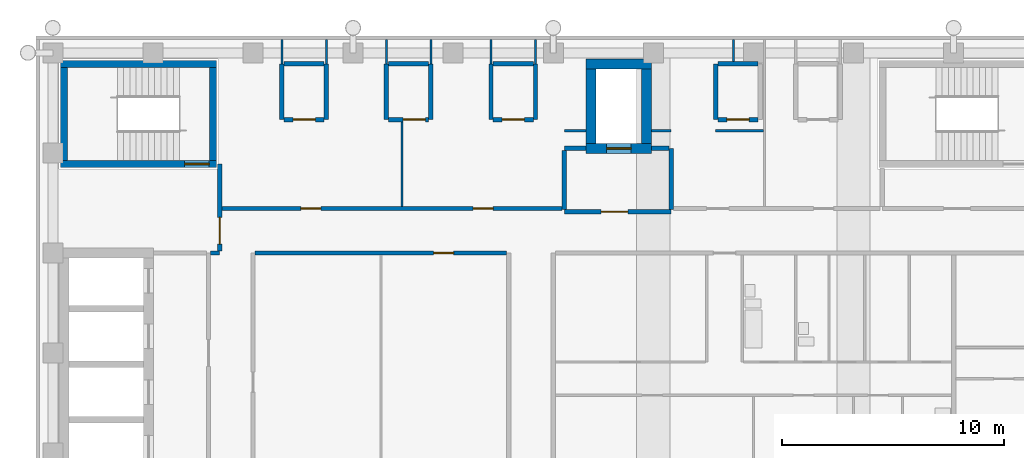
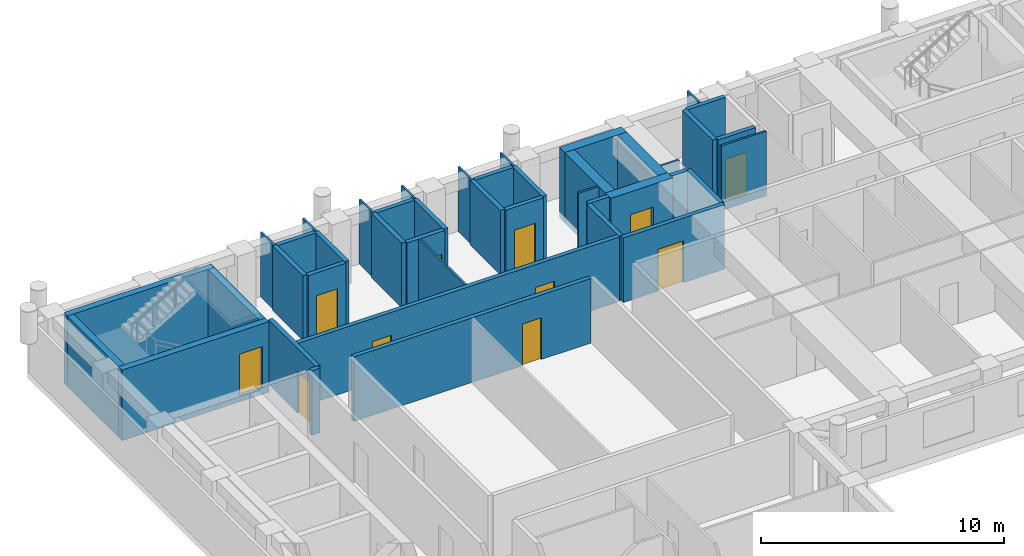
# One storey, part 8 of 14: 43 walls, 11 doors, 11 openings.
"""IFC4 building model written with IfcOpenShell, lengths in metres."""

from ifc_helpers import new_model, si_unit, direction, frame, frame_2d, origin, place, context, subcontext, project, spatial, rectangle, extrude, material, layer, layer_set, type_object, element, fill, save


model = new_model("IFC4")

# Units and contexts
model_context = context("Model", 3, precision=1e-05, world=origin(), true_north=direction((0.0, 1.0)))
body_context = subcontext(model_context, "Body", "Model", "MODEL_VIEW")
ifc_project = project(units=[si_unit("LENGTHUNIT", "METRE"), si_unit("AREAUNIT", "SQUARE_METRE"), si_unit("VOLUMEUNIT", "CUBIC_METRE"), si_unit("PLANEANGLEUNIT", "RADIAN"), si_unit("MASSUNIT", "GRAM", prefix="KILO")], contexts=[model_context])

# Site, building, storey
site_placement = place(None, origin())
site = spatial("IfcSite", under=ifc_project, at=site_placement, CompositionType="ELEMENT")
building_placement = place(site_placement, origin())
building = spatial("IfcBuilding", under=site, at=building_placement, Name="Firuza Court", CompositionType="ELEMENT")
storey_placement = place(building_placement, frame((0.0, 0.0, 182.60009765625)))
storey = spatial("IfcBuildingStorey", under=building, at=storey_placement, Name="L46", CompositionType="ELEMENT", Elevation=182.60009765625)

# Wall, opening, door
ifc_material_1 = material(Name="Concrete C50/60", Category="concrete")
ifc_layer_1 = layer(ifc_material_1, 0.300048828125)
ifc_layer_set_1 = layer_set([ifc_layer_1], Name="Concrete C50/60")
wall_type_1 = type_object("IfcWallType", Name="Core wall 300 C50/60", PredefinedType="SHEAR", material=ifc_layer_set_1)
wall_1_placement = place(storey_placement, frame((0.35009765625, 53.5, -0.300048828125), z_axis=(0.0, 0.0, 1.0), x_axis=(1.0, 0.0, 0.0)))
wall_1 = element("IfcWall", 1, at=wall_1_placement, inside=storey, type_object=wall_type_1, Name="Core wall stair L46", PredefinedType="SHEAR", context=body_context, shape_type="SweptSolid", body=[
    extrude(rectangle(XDim=7.0, YDim=0.300048828125, at=frame_2d((3.5, 0.0))), origin(), (0.0, 0.0, 1.0), 3.550048828125),
])
opening_1_placement = place(wall_1_placement, frame((5.580078125, 0.0, 0.300048828125)))
opening_1 = element("IfcOpeningElement", 2, at=opening_1_placement, cuts=wall_1, Name="Opening D46015", PredefinedType="OPENING", context=body_context, shape_type="SweptSolid", body=[
    extrude(rectangle(XDim=1.10009765625, YDim=2.10009765625, at=frame_2d((0.550048828125, 1.050048828125))), frame((0.0, 0.162109375, 0.0), z_axis=(0.0, -1.0, 0.0), x_axis=(1.0, 0.0, 0.0)), (0.0, 0.0, 1.0), 0.323974609375),
])
ifc_material_2 = material(Name="Timber door leaf in hardwood frame", Category="wood")
door_type_1 = type_object("IfcDoorType", Name="Stair door 1100", OperationType="SINGLE_SWING_LEFT", PredefinedType="DOOR", material=ifc_material_2)
door_1_placement = place(opening_1_placement, origin())
door_1 = element("IfcDoor", 3, at=door_1_placement, inside=storey, type_object=door_type_1, Name="Stair door S3", OperationType="SINGLE_SWING_RIGHT", OverallHeight=2.10009765625, OverallWidth=1.10009765625, PredefinedType="DOOR", context=body_context, shape_type="SweptSolid", body=[
    extrude(rectangle(XDim=1.10009765625, YDim=2.10009765625, at=frame_2d((0.550048828125, 1.050048828125))), frame((0.0, 0.02490234375, 0.0), z_axis=(0.0, -1.0, 0.0), x_axis=(1.0, 0.0, 0.0)), (0.0, 0.0, 1.0), 0.050048828125),
])
fill(opening_1, door_1)

# Walls
wall_2_placement = place(storey_placement, frame((0.35009765625, 58.0, -0.300048828125), z_axis=(0.0, 0.0, 1.0), x_axis=(1.0, 0.0, 0.0)))
element("IfcWall", 4, at=wall_2_placement, inside=storey, type_object=wall_type_1, Name="Core wall stair L46", PredefinedType="SHEAR", context=body_context, shape_type="SweptSolid", body=[
    extrude(rectangle(XDim=7.0, YDim=0.300048828125, at=frame_2d((3.5, 0.0))), origin(), (0.0, 0.0, 1.0), 3.550048828125),
])
for number, where, z_axis, x_axis, name in (
    (5, (0.5, 53.64990234375, -0.300048828125), (0.0, 0.0, 1.0), (0.0, 1.0, 0.0), "Core wall stair L46"),
    (6, (7.199951171875, 53.64990234375, -0.300048828125), (0.0, 0.0, 1.0), (0.0, 1.0, 0.0), "Core wall stair L46"),
):
    element("IfcWall", number, at=place(storey_placement, frame(where, z_axis=z_axis, x_axis=x_axis)), inside=storey, type_object=wall_type_1, Name=name, PredefinedType="SHEAR", context=body_context, shape_type="SweptSolid", body=[
        extrude(rectangle(XDim=4.2001953125, YDim=0.300048828125, at=frame_2d((2.10009765625, 0.0))), origin(), (0.0, 0.0, 1.0), 3.550048828125),
    ])

# Wall, opening, door
ifc_layer_2 = layer(ifc_material_1, 0.449951171875)
ifc_layer_set_2 = layer_set([ifc_layer_2], Name="Concrete C50/60")
wall_type_2 = type_object("IfcWallType", Name="Core wall 450 C50/60", PredefinedType="SHEAR", material=ifc_layer_set_2)
wall_3_placement = place(storey_placement, frame((23.97509765625, 54.199951171875, -0.300048828125), z_axis=(0.0, 0.0, 1.0), x_axis=(1.0, 0.0, 0.0)))
wall_3 = element("IfcWall", 7, at=wall_3_placement, inside=storey, type_object=wall_type_2, Name="Core wall lift shaft L46", PredefinedType="SHEAR", context=body_context, shape_type="SweptSolid", body=[
    extrude(rectangle(XDim=2.949951171875, YDim=0.449951171875, at=frame_2d((1.47509765625, 0.0))), origin(), (0.0, 0.0, 1.0), 3.550048828125),
])
opening_2_placement = place(wall_3_placement, frame((0.925048828125, 0.0, 0.300048828125)))
opening_2 = element("IfcOpeningElement", 8, at=opening_2_placement, cuts=wall_3, Name="Opening LD-FL3-46", PredefinedType="OPENING", context=body_context, shape_type="SweptSolid", body=[
    extrude(rectangle(XDim=1.10009765625, YDim=2.10009765625, at=frame_2d((0.550048828125, 1.050048828125))), frame((0.0, 0.23681640625, 0.0), z_axis=(0.0, -1.0, 0.0), x_axis=(1.0, 0.0, 0.0)), (0.0, 0.0, 1.0), 0.473876953125),
])
ifc_material_3 = material(Name="Stainless steel 1.4301 door leaf", Category="steel")
door_type_2 = type_object("IfcDoorType", Name="Lift landing door 1100", OperationType="SLIDING_TO_LEFT", PredefinedType="DOOR", material=ifc_material_3)
door_2_placement = place(opening_2_placement, origin())
door_2 = element("IfcDoor", 9, at=door_2_placement, inside=storey, type_object=door_type_2, Name="Landing door FL3", OperationType="SLIDING_TO_LEFT", OverallHeight=2.10009765625, OverallWidth=1.10009765625, PredefinedType="DOOR", context=body_context, shape_type="SweptSolid", body=[
    extrude(rectangle(XDim=1.10009765625, YDim=2.10009765625, at=frame_2d((0.550048828125, 1.050048828125))), frame((0.0, 0.02490234375, 0.0), z_axis=(0.0, -1.0, 0.0), x_axis=(1.0, 0.0, 0.0)), (0.0, 0.0, 1.0), 0.050048828125),
])
fill(opening_2, door_2)

# Walls
wall_4_placement = place(storey_placement, frame((23.97509765625, 58.0, -0.300048828125), z_axis=(0.0, 0.0, 1.0), x_axis=(1.0, 0.0, 0.0)))
element("IfcWall", 10, at=wall_4_placement, inside=storey, type_object=wall_type_2, Name="Core wall lift shaft L46", PredefinedType="SHEAR", context=body_context, shape_type="SweptSolid", body=[
    extrude(rectangle(XDim=2.949951171875, YDim=0.449951171875, at=frame_2d((1.47509765625, 0.0))), origin(), (0.0, 0.0, 1.0), 3.550048828125),
])
for number, where, z_axis, x_axis, name in (
    (11, (24.199951171875, 54.425048828125, -0.300048828125), (0.0, 0.0, 1.0), (0.0, 1.0, 0.0), "Core wall lift shaft L46"),
    (12, (26.699951171875, 54.425048828125, -0.300048828125), (0.0, 0.0, 1.0), (0.0, 1.0, 0.0), "Core wall lift shaft L46"),
):
    element("IfcWall", number, at=place(storey_placement, frame(where, z_axis=z_axis, x_axis=x_axis)), inside=storey, type_object=wall_type_2, Name=name, PredefinedType="SHEAR", context=body_context, shape_type="SweptSolid", body=[
        extrude(rectangle(XDim=3.349853515625, YDim=0.449951171875, at=frame_2d((1.6748046875, 0.0))), origin(), (0.0, 0.0, 1.0), 3.550048828125),
    ])

# Wall, opening, door
ifc_material_4 = material(Name="Blockwork, plastered both sides", Category="masonry")
ifc_layer_3 = layer(ifc_material_4, 0.199951171875)
ifc_layer_set_3 = layer_set([ifc_layer_3], Name="Blockwork, plastered both sides")
wall_type_3 = type_object("IfcWallType", Name="Corridor wall 200", PredefinedType="PARTITIONING", material=ifc_layer_set_3)
wall_5_placement = place(storey_placement, frame((9.10009765625, 49.5, 0.0), z_axis=(0.0, 0.0, 1.0), x_axis=(1.0, 0.0, 0.0)))
wall_5 = element("IfcWall", 13, at=wall_5_placement, inside=storey, type_object=wall_type_3, Name="Corridor wall 200 L46", PredefinedType="PARTITIONING", context=body_context, shape_type="SweptSolid", body=[
    extrude(rectangle(XDim=11.2998046875, YDim=0.199951171875, at=frame_2d((5.64990234375, 0.0))), origin(), (0.0, 0.0, 1.0), 3.25),
])
opening_3_placement = place(wall_5_placement, frame((8.02490234375, 0.0, 0.0)))
opening_3 = element("IfcOpeningElement", 14, at=opening_3_placement, cuts=wall_5, Name="Opening D46059", PredefinedType="OPENING", context=body_context, shape_type="SweptSolid", body=[
    extrude(rectangle(XDim=0.89990234375, YDim=2.10009765625, at=frame_2d((0.449951171875, 1.050048828125))), frame((0.0, 0.11181640625, 0.0), z_axis=(0.0, -1.0, 0.0), x_axis=(1.0, 0.0, 0.0)), (0.0, 0.0, 1.0), 0.223876953125),
])
ifc_material_5 = material(Name="Timber door leaf in hardwood frame", Category="wood")
door_type_3 = type_object("IfcDoorType", Name="Room door 900 EI 30", OperationType="SINGLE_SWING_LEFT", PredefinedType="DOOR", material=ifc_material_5)
door_3_placement = place(opening_3_placement, origin())
door_3 = element("IfcDoor", 15, at=door_3_placement, inside=storey, type_object=door_type_3, Name="Residents' club lounge door", OperationType="SINGLE_SWING_LEFT", OverallHeight=2.10009765625, OverallWidth=0.89990234375, PredefinedType="DOOR", context=body_context, shape_type="SweptSolid", body=[
    extrude(rectangle(XDim=0.89990234375, YDim=2.10009765625, at=frame_2d((0.449951171875, 1.050048828125))), frame((0.0, 0.02490234375, 0.0), z_axis=(0.0, -1.0, 0.0), x_axis=(1.0, 0.0, 0.0)), (0.0, 0.0, 1.0), 0.050048828125),
])
fill(opening_3, door_3)

# Wall, openings, doors
wall_6_placement = place(storey_placement, frame((7.60009765625, 51.5, 0.0), z_axis=(0.0, 0.0, 1.0), x_axis=(1.0, 0.0, 0.0)))
wall_6 = element("IfcWall", 16, at=wall_6_placement, inside=storey, type_object=wall_type_3, Name="Corridor wall 200 L46", PredefinedType="PARTITIONING", context=body_context, shape_type="SweptSolid", body=[
    extrude(rectangle(XDim=15.2998046875, YDim=0.199951171875, at=frame_2d((7.64990234375, 0.0))), origin(), (0.0, 0.0, 1.0), 3.25),
])
opening_4_placement = place(wall_6_placement, frame((3.550048828125, 0.0, 0.0)))
opening_4 = element("IfcOpeningElement", 17, at=opening_4_placement, cuts=wall_6, Name="Opening D46063", PredefinedType="OPENING", context=body_context, shape_type="SweptSolid", body=[
    extrude(rectangle(XDim=0.89990234375, YDim=2.10009765625, at=frame_2d((0.449951171875, 1.050048828125))), frame((0.0, 0.11181640625, 0.0), z_axis=(0.0, -1.0, 0.0), x_axis=(1.0, 0.0, 0.0)), (0.0, 0.0, 1.0), 0.223876953125),
])
opening_5_placement = place(wall_6_placement, frame((11.300048828125, 0.0, 0.0)))
opening_5 = element("IfcOpeningElement", 18, at=opening_5_placement, cuts=wall_6, Name="Opening D46064", PredefinedType="OPENING", context=body_context, shape_type="SweptSolid", body=[
    extrude(rectangle(XDim=0.89990234375, YDim=2.10009765625, at=frame_2d((0.449951171875, 1.050048828125))), frame((0.0, 0.11181640625, 0.0), z_axis=(0.0, -1.0, 0.0), x_axis=(1.0, 0.0, 0.0)), (0.0, 0.0, 1.0), 0.223876953125),
])
door_4_placement = place(opening_4_placement, origin())
door_4 = element("IfcDoor", 19, at=door_4_placement, inside=storey, type_object=door_type_3, Name="Meeting room door", OperationType="SINGLE_SWING_LEFT", OverallHeight=2.10009765625, OverallWidth=0.89990234375, PredefinedType="DOOR", context=body_context, shape_type="SweptSolid", body=[
    extrude(rectangle(XDim=0.89990234375, YDim=2.10009765625, at=frame_2d((0.449951171875, 1.050048828125))), frame((0.0, 0.02490234375, 0.0), z_axis=(0.0, -1.0, 0.0), x_axis=(1.0, 0.0, 0.0)), (0.0, 0.0, 1.0), 0.050048828125),
])
fill(opening_4, door_4)
door_5_placement = place(opening_5_placement, origin())
door_5 = element("IfcDoor", 20, at=door_5_placement, inside=storey, type_object=door_type_3, Name="Meeting room door", OperationType="SINGLE_SWING_LEFT", OverallHeight=2.10009765625, OverallWidth=0.89990234375, PredefinedType="DOOR", context=body_context, shape_type="SweptSolid", body=[
    extrude(rectangle(XDim=0.89990234375, YDim=2.10009765625, at=frame_2d((0.449951171875, 1.050048828125))), frame((0.0, 0.02490234375, 0.0), z_axis=(0.0, -1.0, 0.0), x_axis=(1.0, 0.0, 0.0)), (0.0, 0.0, 1.0), 0.050048828125),
])
fill(opening_5, door_5)

# Walls
ifc_material_6 = material(Name="Timber stud partition, plasterboard both sides", Category="wood")
ifc_layer_4 = layer(ifc_material_6, 0.10009765625)
ifc_layer_set_4 = layer_set([ifc_layer_4], Name="Timber stud partition, plasterboard both sides")
wall_type_4 = type_object("IfcWallType", Name="Partition wall 100", PredefinedType="PARTITIONING", material=ifc_layer_set_4)
wall_7_placement = place(storey_placement, frame((15.699951171875, 51.60009765625, 0.0), z_axis=(0.0, 0.0, 1.0), x_axis=(0.0, 1.0, 0.0)))
element("IfcWall", 21, at=wall_7_placement, inside=storey, type_object=wall_type_4, Name="Partition wall 100 L46", PredefinedType="PARTITIONING", context=body_context, shape_type="SweptSolid", body=[
    extrude(rectangle(XDim=3.7998046875, YDim=0.10009765625, at=frame_2d((1.89990234375, 0.0))), origin(), (0.0, 0.0, 1.0), 3.25),
])
wall_8_placement = place(storey_placement, frame((23.0, 55.0, 0.0), z_axis=(0.0, 0.0, 1.0), x_axis=(1.0, 0.0, 0.0)))
element("IfcWall", 22, at=wall_8_placement, inside=storey, type_object=wall_type_4, Name="Partition wall 100 L46", PredefinedType="PARTITIONING", context=body_context, shape_type="SweptSolid", body=[
    extrude(rectangle(XDim=0.97509765625, YDim=0.10009765625, at=frame_2d((0.487548828125, 0.0))), origin(), (0.0, 0.0, 1.0), 3.25),
])
wall_9_placement = place(storey_placement, frame((26.925048828125, 55.0, 0.0), z_axis=(0.0, 0.0, 1.0), x_axis=(1.0, 0.0, 0.0)))
element("IfcWall", 23, at=wall_9_placement, inside=storey, type_object=wall_type_4, Name="Partition wall 100 L46", PredefinedType="PARTITIONING", context=body_context, shape_type="SweptSolid", body=[
    extrude(rectangle(XDim=0.875, YDim=0.10009765625, at=frame_2d((0.4375, 0.0))), origin(), (0.0, 0.0, 1.0), 3.25),
])
wall_10_placement = place(storey_placement, frame((29.800048828125, 55.0, 0.0), z_axis=(0.0, 0.0, 1.0), x_axis=(1.0, 0.0, 0.0)))
element("IfcWall", 24, at=wall_10_placement, inside=storey, type_object=wall_type_4, Name="Partition wall 100 L46", PredefinedType="PARTITIONING", context=body_context, shape_type="SweptSolid", body=[
    extrude(rectangle(XDim=2.14990234375, YDim=0.10009765625, at=frame_2d((1.074951171875, 0.0))), origin(), (0.0, 0.0, 1.0), 3.25),
])
for number, where, z_axis, x_axis, name in (
    (25, (10.300048828125, 58.0, 0.0), (0.0, 0.0, 1.0), (0.0, 1.0, 0.0), "Partition wall 100 L46"),
    (26, (12.300048828125, 58.0, 0.0), (0.0, 0.0, 1.0), (0.0, 1.0, 0.0), "Partition wall 100 L46"),
    (27, (15.0, 58.0, 0.0), (0.0, 0.0, 1.0), (0.0, 1.0, 0.0), "Partition wall 100 L46"),
    (28, (17.0, 58.0, 0.0), (0.0, 0.0, 1.0), (0.0, 1.0, 0.0), "Partition wall 100 L46"),
    (29, (19.699951171875, 58.0, 0.0), (0.0, 0.0, 1.0), (0.0, 1.0, 0.0), "Partition wall 100 L46"),
    (30, (21.699951171875, 58.0, 0.0), (0.0, 0.0, 1.0), (0.0, 1.0, 0.0), "Partition wall 100 L46"),
):
    element("IfcWall", number, at=place(storey_placement, frame(where, z_axis=z_axis, x_axis=x_axis)), inside=storey, type_object=wall_type_4, Name=name, PredefinedType="PARTITIONING", context=body_context, shape_type="SweptSolid", body=[
        extrude(rectangle(XDim=1.10009765625, YDim=0.10009765625, at=frame_2d((0.550048828125, 0.0))), origin(), (0.0, 0.0, 1.0), 3.25),
    ])
wall_11_placement = place(storey_placement, frame((30.60009765625, 58.10009765625, 0.0), z_axis=(0.0, 0.0, 1.0), x_axis=(0.0, 1.0, 0.0)))
element("IfcWall", 31, at=wall_11_placement, inside=storey, type_object=wall_type_4, Name="Partition wall 100 L46", PredefinedType="PARTITIONING", context=body_context, shape_type="SweptSolid", body=[
    extrude(rectangle(XDim=1.0, YDim=0.10009765625, at=frame_2d((0.5, 0.0))), origin(), (0.0, 0.0, 1.0), 3.25),
])
ifc_material_7 = material(Name="Blockwork, fire-rated", Category="masonry")
ifc_layer_5 = layer(ifc_material_7, 0.199951171875)
ifc_layer_set_5 = layer_set([ifc_layer_5], Name="Blockwork, fire-rated")
wall_type_5 = type_object("IfcWallType", Name="Plant room wall 200", PredefinedType="PARTITIONING", material=ifc_layer_set_5)
wall_12_placement = place(storey_placement, frame((10.300048828125, 55.5, 0.0), z_axis=(0.0, 0.0, 1.0), x_axis=(0.0, 1.0, 0.0)))
element("IfcWall", 32, at=wall_12_placement, inside=storey, type_object=wall_type_5, Name="Plant room wall 200 L46", PredefinedType="PARTITIONING", context=body_context, shape_type="SweptSolid", body=[
    extrude(rectangle(XDim=2.5, YDim=0.199951171875, at=frame_2d((1.25, 0.0))), origin(), (0.0, 0.0, 1.0), 3.25),
])

# Wall, opening, door
wall_13_placement = place(storey_placement, frame((10.39990234375, 55.5, 0.0), z_axis=(0.0, 0.0, 1.0), x_axis=(1.0, 0.0, 0.0)))
wall_13 = element("IfcWall", 33, at=wall_13_placement, inside=storey, type_object=wall_type_5, Name="Plant room wall 200 L46", PredefinedType="PARTITIONING", context=body_context, shape_type="SweptSolid", body=[
    extrude(rectangle(XDim=1.800048828125, YDim=0.199951171875, at=frame_2d((0.89990234375, 0.0))), origin(), (0.0, 0.0, 1.0), 3.25),
])
opening_6_placement = place(wall_13_placement, frame((0.39990234375, 0.0, 0.0)))
opening_6 = element("IfcOpeningElement", 34, at=opening_6_placement, cuts=wall_13, Name="Opening D46071", PredefinedType="OPENING", context=body_context, shape_type="SweptSolid", body=[
    extrude(rectangle(XDim=1.0, YDim=2.10009765625, at=frame_2d((0.5, 1.050048828125))), frame((0.0, 0.11181640625, 0.0), z_axis=(0.0, -1.0, 0.0), x_axis=(1.0, 0.0, 0.0)), (0.0, 0.0, 1.0), 0.223876953125),
])
ifc_material_8 = material(Name="Timber door leaf in hardwood frame", Category="wood")
door_type_4 = type_object("IfcDoorType", Name="Riser door 1000", OperationType="SINGLE_SWING_LEFT", PredefinedType="DOOR", material=ifc_material_8)
door_6_placement = place(opening_6_placement, origin())
door_6 = element("IfcDoor", 35, at=door_6_placement, inside=storey, type_object=door_type_4, Name="Comms riser door", OperationType="SINGLE_SWING_LEFT", OverallHeight=2.10009765625, OverallWidth=1.0, PredefinedType="DOOR", context=body_context, shape_type="SweptSolid", body=[
    extrude(rectangle(XDim=1.0, YDim=2.10009765625, at=frame_2d((0.5, 1.050048828125))), frame((0.0, 0.02490234375, 0.0), z_axis=(0.0, -1.0, 0.0), x_axis=(1.0, 0.0, 0.0)), (0.0, 0.0, 1.0), 0.050048828125),
])
fill(opening_6, door_6)

# Walls
for number, where, z_axis, x_axis, name in (
    (36, (12.300048828125, 55.5, 0.0), (0.0, 0.0, 1.0), (0.0, 1.0, 0.0), "Plant room wall 200 L46"),
    (37, (15.0, 55.5, 0.0), (0.0, 0.0, 1.0), (0.0, 1.0, 0.0), "Plant room wall 200 L46"),
):
    element("IfcWall", number, at=place(storey_placement, frame(where, z_axis=z_axis, x_axis=x_axis)), inside=storey, type_object=wall_type_5, Name=name, PredefinedType="PARTITIONING", context=body_context, shape_type="SweptSolid", body=[
        extrude(rectangle(XDim=2.5, YDim=0.199951171875, at=frame_2d((1.25, 0.0))), origin(), (0.0, 0.0, 1.0), 3.25),
    ])

# Wall, opening, door
wall_14_placement = place(storey_placement, frame((15.10009765625, 55.5, 0.0), z_axis=(0.0, 0.0, 1.0), x_axis=(1.0, 0.0, 0.0)))
wall_14 = element("IfcWall", 38, at=wall_14_placement, inside=storey, type_object=wall_type_5, Name="Plant room wall 200 L46", PredefinedType="PARTITIONING", context=body_context, shape_type="SweptSolid", body=[
    extrude(rectangle(XDim=1.7998046875, YDim=0.199951171875, at=frame_2d((0.89990234375, 0.0))), origin(), (0.0, 0.0, 1.0), 3.25),
])
opening_7_placement = place(wall_14_placement, frame((0.64990234375, 0.0, 0.0)))
opening_7 = element("IfcOpeningElement", 39, at=opening_7_placement, cuts=wall_14, Name="Opening D46072", PredefinedType="OPENING", context=body_context, shape_type="SweptSolid", body=[
    extrude(rectangle(XDim=1.0, YDim=2.10009765625, at=frame_2d((0.5, 1.050048828125))), frame((0.0, 0.11181640625, 0.0), z_axis=(0.0, -1.0, 0.0), x_axis=(1.0, 0.0, 0.0)), (0.0, 0.0, 1.0), 0.223876953125),
])
door_7_placement = place(opening_7_placement, origin())
door_7 = element("IfcDoor", 40, at=door_7_placement, inside=storey, type_object=door_type_4, Name="Electrical riser door", OperationType="SINGLE_SWING_RIGHT", OverallHeight=2.10009765625, OverallWidth=1.0, PredefinedType="DOOR", context=body_context, shape_type="SweptSolid", body=[
    extrude(rectangle(XDim=1.0, YDim=2.10009765625, at=frame_2d((0.5, 1.050048828125))), frame((0.0, 0.02490234375, 0.0), z_axis=(0.0, -1.0, 0.0), x_axis=(1.0, 0.0, 0.0)), (0.0, 0.0, 1.0), 0.050048828125),
])
fill(opening_7, door_7)

# Walls
for number, where, z_axis, x_axis, name in (
    (41, (17.0, 55.5, 0.0), (0.0, 0.0, 1.0), (0.0, 1.0, 0.0), "Plant room wall 200 L46"),
    (42, (19.699951171875, 55.5, 0.0), (0.0, 0.0, 1.0), (0.0, 1.0, 0.0), "Plant room wall 200 L46"),
):
    element("IfcWall", number, at=place(storey_placement, frame(where, z_axis=z_axis, x_axis=x_axis)), inside=storey, type_object=wall_type_5, Name=name, PredefinedType="PARTITIONING", context=body_context, shape_type="SweptSolid", body=[
        extrude(rectangle(XDim=2.5, YDim=0.199951171875, at=frame_2d((1.25, 0.0))), origin(), (0.0, 0.0, 1.0), 3.25),
    ])

# Wall, opening, door
wall_15_placement = place(storey_placement, frame((19.800048828125, 55.5, 0.0), z_axis=(0.0, 0.0, 1.0), x_axis=(1.0, 0.0, 0.0)))
wall_15 = element("IfcWall", 43, at=wall_15_placement, inside=storey, type_object=wall_type_5, Name="Plant room wall 200 L46", PredefinedType="PARTITIONING", context=body_context, shape_type="SweptSolid", body=[
    extrude(rectangle(XDim=1.800048828125, YDim=0.199951171875, at=frame_2d((0.89990234375, 0.0))), origin(), (0.0, 0.0, 1.0), 3.25),
])
opening_8_placement = place(wall_15_placement, frame((0.39990234375, 0.0, 0.0)))
opening_8 = element("IfcOpeningElement", 44, at=opening_8_placement, cuts=wall_15, Name="Opening D46073", PredefinedType="OPENING", context=body_context, shape_type="SweptSolid", body=[
    extrude(rectangle(XDim=1.0, YDim=2.10009765625, at=frame_2d((0.5, 1.050048828125))), frame((0.0, 0.11181640625, 0.0), z_axis=(0.0, -1.0, 0.0), x_axis=(1.0, 0.0, 0.0)), (0.0, 0.0, 1.0), 0.223876953125),
])
door_8_placement = place(opening_8_placement, origin())
door_8 = element("IfcDoor", 45, at=door_8_placement, inside=storey, type_object=door_type_4, Name="Duct riser door", OperationType="SINGLE_SWING_LEFT", OverallHeight=2.10009765625, OverallWidth=1.0, PredefinedType="DOOR", context=body_context, shape_type="SweptSolid", body=[
    extrude(rectangle(XDim=1.0, YDim=2.10009765625, at=frame_2d((0.5, 1.050048828125))), frame((0.0, 0.02490234375, 0.0), z_axis=(0.0, -1.0, 0.0), x_axis=(1.0, 0.0, 0.0)), (0.0, 0.0, 1.0), 0.050048828125),
])
fill(opening_8, door_8)

# Walls
for number, where, z_axis, x_axis, name in (
    (46, (21.699951171875, 55.5, 0.0), (0.0, 0.0, 1.0), (0.0, 1.0, 0.0), "Plant room wall 200 L46"),
    (47, (29.800048828125, 55.5, 0.0), (0.0, 0.0, 1.0), (0.0, 1.0, 0.0), "Plant room wall 200 L46"),
):
    element("IfcWall", number, at=place(storey_placement, frame(where, z_axis=z_axis, x_axis=x_axis)), inside=storey, type_object=wall_type_5, Name=name, PredefinedType="PARTITIONING", context=body_context, shape_type="SweptSolid", body=[
        extrude(rectangle(XDim=2.5, YDim=0.199951171875, at=frame_2d((1.25, 0.0))), origin(), (0.0, 0.0, 1.0), 3.25),
    ])

# Wall, opening, door
wall_16_placement = place(storey_placement, frame((29.89990234375, 55.5, 0.0), z_axis=(0.0, 0.0, 1.0), x_axis=(1.0, 0.0, 0.0)))
wall_16 = element("IfcWall", 48, at=wall_16_placement, inside=storey, type_object=wall_type_5, Name="Plant room wall 200 L46", PredefinedType="PARTITIONING", context=body_context, shape_type="SweptSolid", body=[
    extrude(rectangle(XDim=1.800048828125, YDim=0.199951171875, at=frame_2d((0.89990234375, 0.0))), origin(), (0.0, 0.0, 1.0), 3.25),
])
opening_9_placement = place(wall_16_placement, frame((0.39990234375, 0.0, 0.0)))
opening_9 = element("IfcOpeningElement", 49, at=opening_9_placement, cuts=wall_16, Name="Opening D46074", PredefinedType="OPENING", context=body_context, shape_type="SweptSolid", body=[
    extrude(rectangle(XDim=1.0, YDim=2.10009765625, at=frame_2d((0.5, 1.050048828125))), frame((0.0, 0.11181640625, 0.0), z_axis=(0.0, -1.0, 0.0), x_axis=(1.0, 0.0, 0.0)), (0.0, 0.0, 1.0), 0.223876953125),
])
door_9_placement = place(opening_9_placement, origin())
door_9 = element("IfcDoor", 50, at=door_9_placement, inside=storey, type_object=door_type_4, Name="Electrical riser door", OperationType="SINGLE_SWING_LEFT", OverallHeight=2.10009765625, OverallWidth=1.0, PredefinedType="DOOR", context=body_context, shape_type="SweptSolid", body=[
    extrude(rectangle(XDim=1.0, YDim=2.10009765625, at=frame_2d((0.5, 1.050048828125))), frame((0.0, 0.02490234375, 0.0), z_axis=(0.0, -1.0, 0.0), x_axis=(1.0, 0.0, 0.0)), (0.0, 0.0, 1.0), 0.050048828125),
])
fill(opening_9, door_9)

# Walls
wall_17_placement = place(storey_placement, frame((10.39990234375, 58.0, 0.0), z_axis=(0.0, 0.0, 1.0), x_axis=(1.0, 0.0, 0.0)))
element("IfcWall", 51, at=wall_17_placement, inside=storey, type_object=wall_type_5, Name="Plant room wall 200 L46", PredefinedType="PARTITIONING", context=body_context, shape_type="SweptSolid", body=[
    extrude(rectangle(XDim=1.800048828125, YDim=0.199951171875, at=frame_2d((0.89990234375, 0.0))), origin(), (0.0, 0.0, 1.0), 3.25),
])
wall_18_placement = place(storey_placement, frame((15.10009765625, 58.0, 0.0), z_axis=(0.0, 0.0, 1.0), x_axis=(1.0, 0.0, 0.0)))
element("IfcWall", 52, at=wall_18_placement, inside=storey, type_object=wall_type_5, Name="Plant room wall 200 L46", PredefinedType="PARTITIONING", context=body_context, shape_type="SweptSolid", body=[
    extrude(rectangle(XDim=1.7998046875, YDim=0.199951171875, at=frame_2d((0.89990234375, 0.0))), origin(), (0.0, 0.0, 1.0), 3.25),
])
for number, where, z_axis, x_axis, name in (
    (53, (19.800048828125, 58.0, 0.0), (0.0, 0.0, 1.0), (1.0, 0.0, 0.0), "Plant room wall 200 L46"),
    (54, (29.89990234375, 58.0, 0.0), (0.0, 0.0, 1.0), (1.0, 0.0, 0.0), "Plant room wall 200 L46"),
):
    element("IfcWall", number, at=place(storey_placement, frame(where, z_axis=z_axis, x_axis=x_axis)), inside=storey, type_object=wall_type_5, Name=name, PredefinedType="PARTITIONING", context=body_context, shape_type="SweptSolid", body=[
        extrude(rectangle(XDim=1.800048828125, YDim=0.199951171875, at=frame_2d((0.89990234375, 0.0))), origin(), (0.0, 0.0, 1.0), 3.25),
    ])

# Wall, opening, door
ifc_layer_6 = layer(ifc_material_7, 0.199951171875)
ifc_layer_set_6 = layer_set([ifc_layer_6], Name="Blockwork, fire-rated")
wall_type_6 = type_object("IfcWallType", Name="Shaft wall 200", PredefinedType="PARTITIONING", material=ifc_layer_set_6)
wall_19_placement = place(storey_placement, frame((23.0, 51.35009765625, 0.0), z_axis=(0.0, 0.0, 1.0), x_axis=(1.0, 0.0, 0.0)))
wall_19 = element("IfcWall", 55, at=wall_19_placement, inside=storey, type_object=wall_type_6, Name="Shaft wall 200 L46", PredefinedType="PARTITIONING", context=body_context, shape_type="SweptSolid", body=[
    extrude(rectangle(XDim=4.800048828125, YDim=0.199951171875, at=frame_2d((2.39990234375, 0.0))), origin(), (0.0, 0.0, 1.0), 3.25),
])
opening_10_placement = place(wall_19_placement, frame((1.64990234375, 0.0, 0.0)))
opening_10 = element("IfcOpeningElement", 56, at=opening_10_placement, cuts=wall_19, Name="Opening D46003", PredefinedType="OPENING", context=body_context, shape_type="SweptSolid", body=[
    extrude(rectangle(XDim=1.199951171875, YDim=2.10009765625, at=frame_2d((0.60009765625, 1.050048828125))), frame((0.0, 0.11181640625, 0.0), z_axis=(0.0, -1.0, 0.0), x_axis=(1.0, 0.0, 0.0)), (0.0, 0.0, 1.0), 0.223876953125),
])
ifc_material_9 = material(Name="Timber door leaf in hardwood frame", Category="wood")
door_type_5 = type_object("IfcDoorType", Name="Lobby door 1200", OperationType="SINGLE_SWING_LEFT", PredefinedType="DOOR", material=ifc_material_9)
door_10_placement = place(opening_10_placement, origin())
door_10 = element("IfcDoor", 57, at=door_10_placement, inside=storey, type_object=door_type_5, Name="Fire-fighting lobby door", OperationType="SINGLE_SWING_LEFT", OverallHeight=2.10009765625, OverallWidth=1.199951171875, PredefinedType="DOOR", context=body_context, shape_type="SweptSolid", body=[
    extrude(rectangle(XDim=1.199951171875, YDim=2.10009765625, at=frame_2d((0.60009765625, 1.050048828125))), frame((0.0, 0.02490234375, 0.0), z_axis=(0.0, -1.0, 0.0), x_axis=(1.0, 0.0, 0.0)), (0.0, 0.0, 1.0), 0.050048828125),
])
fill(opening_10, door_10)

# Walls
wall_20_placement = place(storey_placement, frame((27.800048828125, 51.449951171875, 0.0), z_axis=(0.0, 0.0, 1.0), x_axis=(0.0, 1.0, 0.0)))
element("IfcWall", 58, at=wall_20_placement, inside=storey, type_object=wall_type_6, Name="Shaft wall 200 L46", PredefinedType="PARTITIONING", context=body_context, shape_type="SweptSolid", body=[
    extrude(rectangle(XDim=2.75, YDim=0.199951171875, at=frame_2d((1.375, 0.0))), origin(), (0.0, 0.0, 1.0), 3.25),
])
wall_21_placement = place(storey_placement, frame((23.0, 54.199951171875, 0.0), z_axis=(0.0, 0.0, 1.0), x_axis=(1.0, 0.0, 0.0)))
element("IfcWall", 59, at=wall_21_placement, inside=storey, type_object=wall_type_6, Name="Shaft wall 200 L46", PredefinedType="PARTITIONING", context=body_context, shape_type="SweptSolid", body=[
    extrude(rectangle(XDim=0.97509765625, YDim=0.199951171875, at=frame_2d((0.487548828125, 0.0))), origin(), (0.0, 0.0, 1.0), 3.25),
])
wall_22_placement = place(storey_placement, frame((26.925048828125, 54.199951171875, 0.0), z_axis=(0.0, 0.0, 1.0), x_axis=(1.0, 0.0, 0.0)))
element("IfcWall", 60, at=wall_22_placement, inside=storey, type_object=wall_type_6, Name="Shaft wall 200 L46", PredefinedType="PARTITIONING", context=body_context, shape_type="SweptSolid", body=[
    extrude(rectangle(XDim=0.77490234375, YDim=0.199951171875, at=frame_2d((0.387451171875, 0.0))), origin(), (0.0, 0.0, 1.0), 3.25),
])
wall_23_placement = place(storey_placement, frame((23.0, 51.449951171875, 0.0), z_axis=(0.0, 0.0, 1.0), x_axis=(0.0, 1.0, 0.0)))
element("IfcWall", 61, at=wall_23_placement, inside=storey, type_object=wall_type_6, Name="Shaft wall 200 L46", PredefinedType="PARTITIONING", context=body_context, shape_type="SweptSolid", body=[
    extrude(rectangle(XDim=2.650146484375, YDim=0.199951171875, at=frame_2d((1.3251953125, 0.0))), origin(), (0.0, 0.0, 1.0), 3.25),
])
wall_24_placement = place(storey_placement, frame((7.10009765625, 49.5, 0.0), z_axis=(0.0, 0.0, 1.0), x_axis=(1.0, 0.0, 0.0)))
element("IfcWall", 62, at=wall_24_placement, inside=storey, type_object=wall_type_6, Name="Shaft wall 200 L46", PredefinedType="PARTITIONING", context=body_context, shape_type="SweptSolid", body=[
    extrude(rectangle(XDim=0.39990234375, YDim=0.199951171875, at=frame_2d((0.199951171875, 0.0))), origin(), (0.0, 0.0, 1.0), 3.25),
])

# Wall, opening, door
wall_25_placement = place(storey_placement, frame((7.5, 49.60009765625, 0.0), z_axis=(0.0, 0.0, 1.0), x_axis=(0.0, 1.0, 0.0)))
wall_25 = element("IfcWall", 63, at=wall_25_placement, inside=storey, type_object=wall_type_6, Name="Shaft wall 200 L46", PredefinedType="PARTITIONING", context=body_context, shape_type="SweptSolid", body=[
    extrude(rectangle(XDim=3.89990234375, YDim=0.199951171875, at=frame_2d((1.949951171875, 0.0))), origin(), (0.0, 0.0, 1.0), 3.25),
])
opening_11_placement = place(wall_25_placement, frame((0.300048828125, 0.0, 0.0)))
opening_11 = element("IfcOpeningElement", 64, at=opening_11_placement, cuts=wall_25, Name="Opening D46001", PredefinedType="OPENING", context=body_context, shape_type="SweptSolid", body=[
    extrude(rectangle(XDim=1.199951171875, YDim=2.10009765625, at=frame_2d((0.60009765625, 1.050048828125))), frame((0.0, 0.11181640625, 0.0), z_axis=(0.0, -1.0, 0.0), x_axis=(1.0, 0.0, 0.0)), (0.0, 0.0, 1.0), 0.223876953125),
])
door_11_placement = place(opening_11_placement, origin())
door_11 = element("IfcDoor", 65, at=door_11_placement, inside=storey, type_object=door_type_5, Name="Lobby door", OperationType="SINGLE_SWING_LEFT", OverallHeight=2.10009765625, OverallWidth=1.199951171875, PredefinedType="DOOR", context=body_context, shape_type="SweptSolid", body=[
    extrude(rectangle(XDim=1.199951171875, YDim=2.10009765625, at=frame_2d((0.60009765625, 1.050048828125))), frame((0.0, 0.02490234375, 0.0), z_axis=(0.0, -1.0, 0.0), x_axis=(1.0, 0.0, 0.0)), (0.0, 0.0, 1.0), 0.050048828125),
])
fill(opening_11, door_11)

save(model, "model.ifc")
